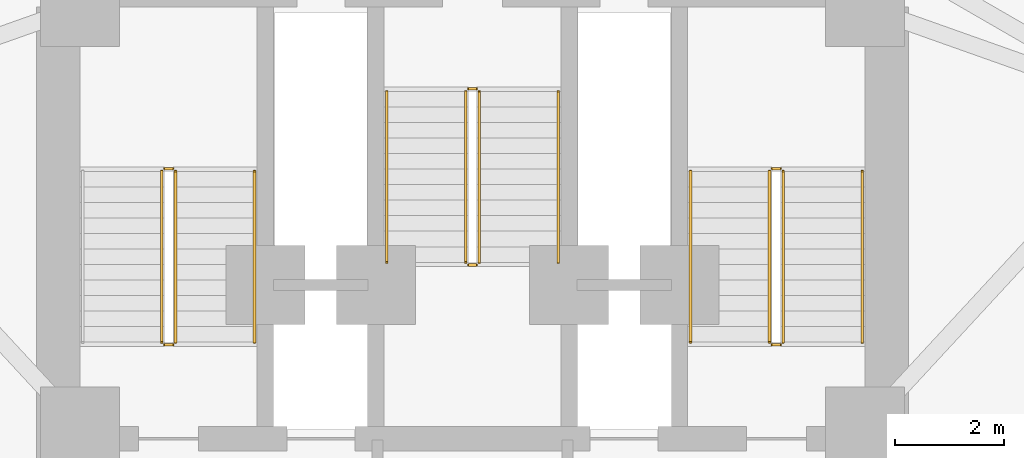
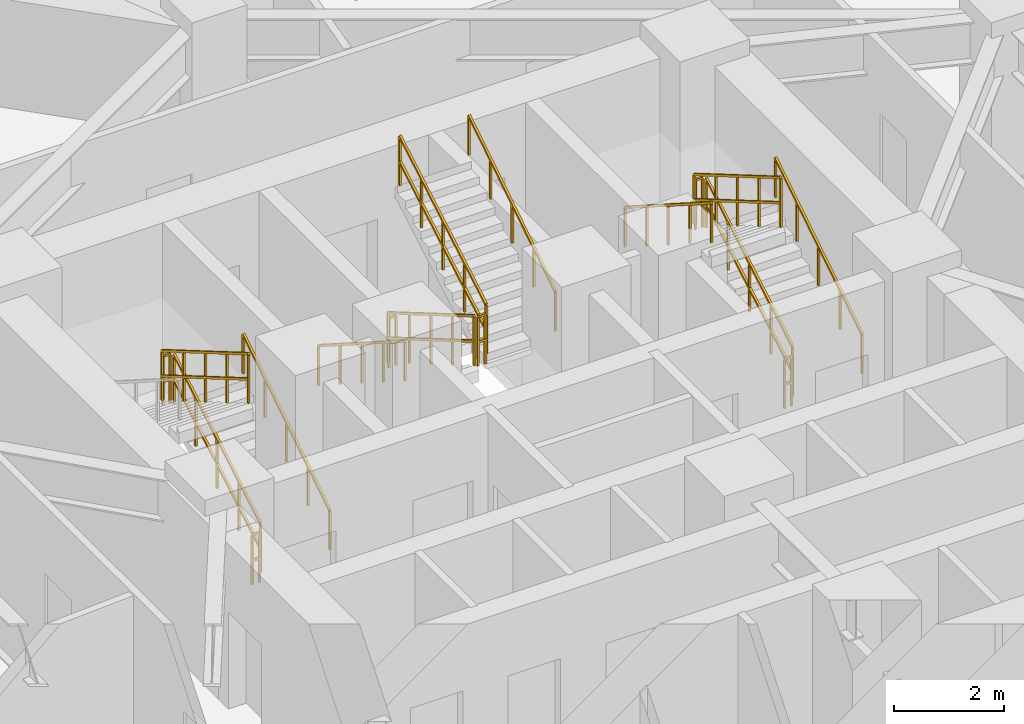
# One storey, part 13 of 14: 17 railings.
"""IFC4 building model written with IfcOpenShell, lengths in metres."""

from ifc_helpers import new_model, si_unit, direction, frame, origin, origin_2d, place, context, subcontext, project, spatial, rectangle, extrude, material, type_object, element, save


model = new_model("IFC4")

# Units and contexts
model_context = context("Model", 3, precision=1e-05, world=origin(), true_north=direction((0.0, 1.0)))
body_context = subcontext(model_context, "Body", "Model", "MODEL_VIEW")
ifc_project = project(units=[si_unit("LENGTHUNIT", "METRE"), si_unit("AREAUNIT", "SQUARE_METRE"), si_unit("VOLUMEUNIT", "CUBIC_METRE"), si_unit("PLANEANGLEUNIT", "RADIAN"), si_unit("MASSUNIT", "GRAM", prefix="KILO")], contexts=[model_context])

# Site, building, storey
site_placement = place(None, origin())
site = spatial("IfcSite", under=ifc_project, at=site_placement, CompositionType="ELEMENT")
building_placement = place(site_placement, origin())
building = spatial("IfcBuilding", under=site, at=building_placement, Name="Apsidion Concourse Tower", CompositionType="ELEMENT")
storey_placement = place(building_placement, frame((0.0, 0.0, 123.0)))
storey = spatial("IfcBuildingStorey", under=building, at=storey_placement, Name="L28", CompositionType="ELEMENT", Elevation=123.0)

# Railings
ifc_material = material(Name="Brushed stainless steel 316", Category="steel")
railing_type_1 = type_object("IfcRailingType", Name="RL-GUARD-1100", PredefinedType="GUARDRAIL", material=ifc_material)
railing_1_placement = place(storey_placement, frame((-5.449951171875, 3.0, 0.166748046875)))
element("IfcRailing", 1, at=railing_1_placement, inside=storey, type_object=railing_type_1, Name="L28 ST1 stair guard 1", PredefinedType="GUARDRAIL", context=body_context, shape_type="SweptSolid", body=[
    extrude(rectangle(XDim=0.048095703125, YDim=0.048095703125, at=origin_2d()), frame((0.0, 0.0, 1.09619140625), z_axis=(0.0, 0.863239559939, 0.504794475164), x_axis=(-1.0, 0.0, 0.0)), (0.0, 0.0, 1.0), 3.631591796875),
    extrude(rectangle(XDim=0.048095703125, YDim=0.048095703125, at=origin_2d()), frame((0.0, 0.0, 0.5361328125), z_axis=(0.0, 0.863239559939, 0.504794475164), x_axis=(-1.0, 0.0, 0.0)), (0.0, 0.0, 1.0), 3.631591796875),
    extrude(rectangle(XDim=0.0419921875, YDim=0.0419921875, at=origin_2d()), origin(), (0.0, 0.0, 1.0), 1.072021484375),
    extrude(rectangle(XDim=0.0419921875, YDim=0.0419921875, at=origin_2d()), frame((0.0, 0.78369140625, 0.458251953125)), (0.0, 0.0, 1.0), 1.072021484375),
    extrude(rectangle(XDim=0.0419921875, YDim=0.0419921875, at=origin_2d()), frame((0.0, 1.5673828125, 0.91650390625)), (0.0, 0.0, 1.0), 1.072021484375),
    extrude(rectangle(XDim=0.0419921875, YDim=0.0419921875, at=origin_2d()), frame((0.0, 2.351318359375, 1.375)), (0.0, 0.0, 1.0), 1.072021484375),
    extrude(rectangle(XDim=0.0419921875, YDim=0.0419921875, at=origin_2d()), frame((0.0, 3.135009765625, 1.833251953125)), (0.0, 0.0, 1.0), 1.072021484375),
])
railing_2_placement = place(storey_placement, frame((-5.5, 6.18505859375, 2.0)))
element("IfcRailing", 2, at=railing_2_placement, inside=storey, type_object=railing_type_1, Name="L28 ST1 stair guard 2", PredefinedType="GUARDRAIL", context=body_context, shape_type="SweptSolid", body=[
    extrude(rectangle(XDim=0.048095703125, YDim=0.048095703125, at=origin_2d()), frame((0.0, 0.0, 1.09619140625), z_axis=(-1.0, 0.0, 0.0), x_axis=(0.0, -1.0, 0.0)), (0.0, 0.0, 1.0), 0.14990234375),
    extrude(rectangle(XDim=0.048095703125, YDim=0.048095703125, at=origin_2d()), frame((0.0, 0.0, 0.5361328125), z_axis=(-1.0, 0.0, 0.0), x_axis=(0.0, -1.0, 0.0)), (0.0, 0.0, 1.0), 0.14990234375),
    extrude(rectangle(XDim=0.0419921875, YDim=0.0419921875, at=origin_2d()), origin(), (0.0, 0.0, 1.0), 1.072021484375),
    extrude(rectangle(XDim=0.0419921875, YDim=0.0419921875, at=origin_2d()), frame((-0.14990234375, 0.0, 0.0)), (0.0, 0.0, 1.0), 1.072021484375),
])
railing_3_placement = place(storey_placement, frame((-5.699951171875, 6.135009765625, 2.166748046875)))
element("IfcRailing", 3, at=railing_3_placement, inside=storey, type_object=railing_type_1, Name="L28 ST1 stair guard 3", PredefinedType="GUARDRAIL", context=body_context, shape_type="SweptSolid", body=[
    extrude(rectangle(XDim=0.048095703125, YDim=0.048095703125, at=origin_2d()), frame((0.0, 0.0, 1.09619140625), z_axis=(0.0, -0.863239559939, 0.504794475164), x_axis=(1.0, 0.0, 0.0)), (0.0, 0.0, 1.0), 3.631591796875),
    extrude(rectangle(XDim=0.048095703125, YDim=0.048095703125, at=origin_2d()), frame((0.0, 0.0, 0.5361328125), z_axis=(0.0, -0.863239559939, 0.504794475164), x_axis=(1.0, 0.0, 0.0)), (0.0, 0.0, 1.0), 3.631591796875),
    extrude(rectangle(XDim=0.0419921875, YDim=0.0419921875, at=origin_2d()), origin(), (0.0, 0.0, 1.0), 1.072021484375),
    extrude(rectangle(XDim=0.0419921875, YDim=0.0419921875, at=origin_2d()), frame((0.0, -0.78369140625, 0.458251953125)), (0.0, 0.0, 1.0), 1.072021484375),
    extrude(rectangle(XDim=0.0419921875, YDim=0.0419921875, at=origin_2d()), frame((0.0, -1.5673828125, 0.91650390625)), (0.0, 0.0, 1.0), 1.072021484375),
    extrude(rectangle(XDim=0.0419921875, YDim=0.0419921875, at=origin_2d()), frame((0.0, -2.351318359375, 1.375)), (0.0, 0.0, 1.0), 1.072021484375),
    extrude(rectangle(XDim=0.0419921875, YDim=0.0419921875, at=origin_2d()), frame((0.0, -3.135009765625, 1.833251953125)), (0.0, 0.0, 1.0), 1.072021484375),
])
railing_4_placement = place(storey_placement, frame((-5.5, 2.949951171875, 0.0)))
element("IfcRailing", 4, at=railing_4_placement, inside=storey, type_object=railing_type_1, Name="L28 ST1 stair guard 4", PredefinedType="GUARDRAIL", context=body_context, shape_type="SweptSolid", body=[
    extrude(rectangle(XDim=0.048095703125, YDim=0.048095703125, at=origin_2d()), frame((0.0, 0.0, 1.09619140625), z_axis=(-1.0, 0.0, 0.0), x_axis=(0.0, -1.0, 0.0)), (0.0, 0.0, 1.0), 0.14990234375),
    extrude(rectangle(XDim=0.048095703125, YDim=0.048095703125, at=origin_2d()), frame((0.0, 0.0, 0.5361328125), z_axis=(-1.0, 0.0, 0.0), x_axis=(0.0, -1.0, 0.0)), (0.0, 0.0, 1.0), 0.14990234375),
    extrude(rectangle(XDim=0.0419921875, YDim=0.0419921875, at=origin_2d()), origin(), (0.0, 0.0, 1.0), 1.072021484375),
    extrude(rectangle(XDim=0.0419921875, YDim=0.0419921875, at=origin_2d()), frame((-0.14990234375, 0.0, 0.0)), (0.0, 0.0, 1.0), 1.072021484375),
])
railing_5_placement = place(storey_placement, frame((5.699951171875, 3.0, 0.166748046875)))
element("IfcRailing", 5, at=railing_5_placement, inside=storey, type_object=railing_type_1, Name="L28 ST2 stair guard 1", PredefinedType="GUARDRAIL", context=body_context, shape_type="SweptSolid", body=[
    extrude(rectangle(XDim=0.048095703125, YDim=0.048095703125, at=origin_2d()), frame((0.0, 0.0, 1.09619140625), z_axis=(0.0, 0.863239559939, 0.504794475164), x_axis=(-1.0, 0.0, 0.0)), (0.0, 0.0, 1.0), 3.631591796875),
    extrude(rectangle(XDim=0.048095703125, YDim=0.048095703125, at=origin_2d()), frame((0.0, 0.0, 0.5361328125), z_axis=(0.0, 0.863239559939, 0.504794475164), x_axis=(-1.0, 0.0, 0.0)), (0.0, 0.0, 1.0), 3.631591796875),
    extrude(rectangle(XDim=0.0419921875, YDim=0.0419921875, at=origin_2d()), origin(), (0.0, 0.0, 1.0), 1.072021484375),
    extrude(rectangle(XDim=0.0419921875, YDim=0.0419921875, at=origin_2d()), frame((0.0, 0.78369140625, 0.458251953125)), (0.0, 0.0, 1.0), 1.072021484375),
    extrude(rectangle(XDim=0.0419921875, YDim=0.0419921875, at=origin_2d()), frame((0.0, 1.5673828125, 0.91650390625)), (0.0, 0.0, 1.0), 1.072021484375),
    extrude(rectangle(XDim=0.0419921875, YDim=0.0419921875, at=origin_2d()), frame((0.0, 2.351318359375, 1.375)), (0.0, 0.0, 1.0), 1.072021484375),
    extrude(rectangle(XDim=0.0419921875, YDim=0.0419921875, at=origin_2d()), frame((0.0, 3.135009765625, 1.833251953125)), (0.0, 0.0, 1.0), 1.072021484375),
])
railing_6_placement = place(storey_placement, frame((5.64990234375, 6.18505859375, 2.0)))
element("IfcRailing", 6, at=railing_6_placement, inside=storey, type_object=railing_type_1, Name="L28 ST2 stair guard 2", PredefinedType="GUARDRAIL", context=body_context, shape_type="SweptSolid", body=[
    extrude(rectangle(XDim=0.048095703125, YDim=0.048095703125, at=origin_2d()), frame((0.0, 0.0, 1.09619140625), z_axis=(-1.0, 0.0, 0.0), x_axis=(0.0, -1.0, 0.0)), (0.0, 0.0, 1.0), 0.14990234375),
    extrude(rectangle(XDim=0.048095703125, YDim=0.048095703125, at=origin_2d()), frame((0.0, 0.0, 0.5361328125), z_axis=(-1.0, 0.0, 0.0), x_axis=(0.0, -1.0, 0.0)), (0.0, 0.0, 1.0), 0.14990234375),
    extrude(rectangle(XDim=0.0419921875, YDim=0.0419921875, at=origin_2d()), origin(), (0.0, 0.0, 1.0), 1.072021484375),
    extrude(rectangle(XDim=0.0419921875, YDim=0.0419921875, at=origin_2d()), frame((-0.14990234375, 0.0, 0.0)), (0.0, 0.0, 1.0), 1.072021484375),
])
railing_7_placement = place(storey_placement, frame((5.449951171875, 6.135009765625, 2.166748046875)))
element("IfcRailing", 7, at=railing_7_placement, inside=storey, type_object=railing_type_1, Name="L28 ST2 stair guard 3", PredefinedType="GUARDRAIL", context=body_context, shape_type="SweptSolid", body=[
    extrude(rectangle(XDim=0.048095703125, YDim=0.048095703125, at=origin_2d()), frame((0.0, 0.0, 1.09619140625), z_axis=(0.0, -0.863239559939, 0.504794475164), x_axis=(1.0, 0.0, 0.0)), (0.0, 0.0, 1.0), 3.631591796875),
    extrude(rectangle(XDim=0.048095703125, YDim=0.048095703125, at=origin_2d()), frame((0.0, 0.0, 0.5361328125), z_axis=(0.0, -0.863239559939, 0.504794475164), x_axis=(1.0, 0.0, 0.0)), (0.0, 0.0, 1.0), 3.631591796875),
    extrude(rectangle(XDim=0.0419921875, YDim=0.0419921875, at=origin_2d()), origin(), (0.0, 0.0, 1.0), 1.072021484375),
    extrude(rectangle(XDim=0.0419921875, YDim=0.0419921875, at=origin_2d()), frame((0.0, -0.78369140625, 0.458251953125)), (0.0, 0.0, 1.0), 1.072021484375),
    extrude(rectangle(XDim=0.0419921875, YDim=0.0419921875, at=origin_2d()), frame((0.0, -1.5673828125, 0.91650390625)), (0.0, 0.0, 1.0), 1.072021484375),
    extrude(rectangle(XDim=0.0419921875, YDim=0.0419921875, at=origin_2d()), frame((0.0, -2.351318359375, 1.375)), (0.0, 0.0, 1.0), 1.072021484375),
    extrude(rectangle(XDim=0.0419921875, YDim=0.0419921875, at=origin_2d()), frame((0.0, -3.135009765625, 1.833251953125)), (0.0, 0.0, 1.0), 1.072021484375),
])
railing_8_placement = place(storey_placement, frame((5.64990234375, 2.949951171875, 0.0)))
element("IfcRailing", 8, at=railing_8_placement, inside=storey, type_object=railing_type_1, Name="L28 ST2 stair guard 4", PredefinedType="GUARDRAIL", context=body_context, shape_type="SweptSolid", body=[
    extrude(rectangle(XDim=0.048095703125, YDim=0.048095703125, at=origin_2d()), frame((0.0, 0.0, 1.09619140625), z_axis=(-1.0, 0.0, 0.0), x_axis=(0.0, -1.0, 0.0)), (0.0, 0.0, 1.0), 0.14990234375),
    extrude(rectangle(XDim=0.048095703125, YDim=0.048095703125, at=origin_2d()), frame((0.0, 0.0, 0.5361328125), z_axis=(-1.0, 0.0, 0.0), x_axis=(0.0, -1.0, 0.0)), (0.0, 0.0, 1.0), 0.14990234375),
    extrude(rectangle(XDim=0.0419921875, YDim=0.0419921875, at=origin_2d()), origin(), (0.0, 0.0, 1.0), 1.072021484375),
    extrude(rectangle(XDim=0.0419921875, YDim=0.0419921875, at=origin_2d()), frame((-0.14990234375, 0.0, 0.0)), (0.0, 0.0, 1.0), 1.072021484375),
])
railing_9_placement = place(storey_placement, frame((-0.125, 7.60009765625, 0.166748046875)))
element("IfcRailing", 9, at=railing_9_placement, inside=storey, type_object=railing_type_1, Name="L28 ST3 stair guard 1", PredefinedType="GUARDRAIL", context=body_context, shape_type="SweptSolid", body=[
    extrude(rectangle(XDim=0.048095703125, YDim=0.048095703125, at=origin_2d()), frame((0.0, 0.0, 1.09619140625), z_axis=(0.0, -0.863239559939, 0.504794475164), x_axis=(1.0, 0.0, 0.0)), (0.0, 0.0, 1.0), 3.631591796875),
    extrude(rectangle(XDim=0.048095703125, YDim=0.048095703125, at=origin_2d()), frame((0.0, 0.0, 0.5361328125), z_axis=(0.0, -0.863239559939, 0.504794475164), x_axis=(1.0, 0.0, 0.0)), (0.0, 0.0, 1.0), 3.631591796875),
    extrude(rectangle(XDim=0.0419921875, YDim=0.0419921875, at=origin_2d()), origin(), (0.0, 0.0, 1.0), 1.072021484375),
    extrude(rectangle(XDim=0.0419921875, YDim=0.0419921875, at=origin_2d()), frame((0.0, -0.78369140625, 0.458251953125)), (0.0, 0.0, 1.0), 1.072021484375),
    extrude(rectangle(XDim=0.0419921875, YDim=0.0419921875, at=origin_2d()), frame((0.0, -1.5673828125, 0.91650390625)), (0.0, 0.0, 1.0), 1.072021484375),
    extrude(rectangle(XDim=0.0419921875, YDim=0.0419921875, at=origin_2d()), frame((0.0, -2.351318359375, 1.375)), (0.0, 0.0, 1.0), 1.072021484375),
    extrude(rectangle(XDim=0.0419921875, YDim=0.0419921875, at=origin_2d()), frame((0.0, -3.135009765625, 1.833251953125)), (0.0, 0.0, 1.0), 1.072021484375),
])
railing_10_placement = place(storey_placement, frame((-0.074951171875, 4.4150390625, 2.0)))
element("IfcRailing", 10, at=railing_10_placement, inside=storey, type_object=railing_type_1, Name="L28 ST3 stair guard 2", PredefinedType="GUARDRAIL", context=body_context, shape_type="SweptSolid", body=[
    extrude(rectangle(XDim=0.048095703125, YDim=0.048095703125, at=origin_2d()), frame((0.0, 0.0, 1.09619140625), z_axis=(1.0, 0.0, 0.0), x_axis=(0.0, 1.0, 0.0)), (0.0, 0.0, 1.0), 0.14990234375),
    extrude(rectangle(XDim=0.048095703125, YDim=0.048095703125, at=origin_2d()), frame((0.0, 0.0, 0.5361328125), z_axis=(1.0, 0.0, 0.0), x_axis=(0.0, 1.0, 0.0)), (0.0, 0.0, 1.0), 0.14990234375),
    extrude(rectangle(XDim=0.0419921875, YDim=0.0419921875, at=origin_2d()), origin(), (0.0, 0.0, 1.0), 1.072021484375),
    extrude(rectangle(XDim=0.0419921875, YDim=0.0419921875, at=origin_2d()), frame((0.14990234375, 0.0, 0.0)), (0.0, 0.0, 1.0), 1.072021484375),
])
railing_11_placement = place(storey_placement, frame((0.125, 4.465087890625, 2.166748046875)))
element("IfcRailing", 11, at=railing_11_placement, inside=storey, type_object=railing_type_1, Name="L28 ST3 stair guard 3", PredefinedType="GUARDRAIL", context=body_context, shape_type="SweptSolid", body=[
    extrude(rectangle(XDim=0.048095703125, YDim=0.048095703125, at=origin_2d()), frame((0.0, 0.0, 1.09619140625), z_axis=(0.0, 0.863239559939, 0.504794475164), x_axis=(-1.0, 0.0, 0.0)), (0.0, 0.0, 1.0), 3.631591796875),
    extrude(rectangle(XDim=0.048095703125, YDim=0.048095703125, at=origin_2d()), frame((0.0, 0.0, 0.5361328125), z_axis=(0.0, 0.863239559939, 0.504794475164), x_axis=(-1.0, 0.0, 0.0)), (0.0, 0.0, 1.0), 3.631591796875),
    extrude(rectangle(XDim=0.0419921875, YDim=0.0419921875, at=origin_2d()), origin(), (0.0, 0.0, 1.0), 1.072021484375),
    extrude(rectangle(XDim=0.0419921875, YDim=0.0419921875, at=origin_2d()), frame((0.0, 0.78369140625, 0.458251953125)), (0.0, 0.0, 1.0), 1.072021484375),
    extrude(rectangle(XDim=0.0419921875, YDim=0.0419921875, at=origin_2d()), frame((0.0, 1.5673828125, 0.91650390625)), (0.0, 0.0, 1.0), 1.072021484375),
    extrude(rectangle(XDim=0.0419921875, YDim=0.0419921875, at=origin_2d()), frame((0.0, 2.351318359375, 1.375)), (0.0, 0.0, 1.0), 1.072021484375),
    extrude(rectangle(XDim=0.0419921875, YDim=0.0419921875, at=origin_2d()), frame((0.0, 3.135009765625, 1.833251953125)), (0.0, 0.0, 1.0), 1.072021484375),
])
railing_12_placement = place(storey_placement, frame((-0.074951171875, 7.64990234375, 0.0)))
element("IfcRailing", 12, at=railing_12_placement, inside=storey, type_object=railing_type_1, Name="L28 ST3 stair guard 4", PredefinedType="GUARDRAIL", context=body_context, shape_type="SweptSolid", body=[
    extrude(rectangle(XDim=0.048095703125, YDim=0.048095703125, at=origin_2d()), frame((0.0, 0.0, 1.09619140625), z_axis=(1.0, 0.0, 0.0), x_axis=(0.0, 1.0, 0.0)), (0.0, 0.0, 1.0), 0.14990234375),
    extrude(rectangle(XDim=0.048095703125, YDim=0.048095703125, at=origin_2d()), frame((0.0, 0.0, 0.5361328125), z_axis=(1.0, 0.0, 0.0), x_axis=(0.0, 1.0, 0.0)), (0.0, 0.0, 1.0), 0.14990234375),
    extrude(rectangle(XDim=0.0419921875, YDim=0.0419921875, at=origin_2d()), origin(), (0.0, 0.0, 1.0), 1.072021484375),
    extrude(rectangle(XDim=0.0419921875, YDim=0.0419921875, at=origin_2d()), frame((0.14990234375, 0.0, 0.0)), (0.0, 0.0, 1.0), 1.072021484375),
])
railing_type_2 = type_object("IfcRailingType", Name="RL-HAND-900", PredefinedType="HANDRAIL", material=ifc_material)
for number, where, name in (
    (13, (-4.0, 3.0, 0.166748046875), "L28 ST1 stair handrail 1"),
    (14, (7.14990234375, 3.0, 0.166748046875), "L28 ST2 stair handrail 1"),
):
    element("IfcRailing", number, at=place(storey_placement, frame(where)), inside=storey, type_object=railing_type_2, Name=name, PredefinedType="HANDRAIL", context=body_context, shape_type="SweptSolid", body=[
        extrude(rectangle(XDim=0.048095703125, YDim=0.048095703125, at=origin_2d()), frame((0.0, 0.0, 0.8759765625), z_axis=(0.0, 0.843052688722, 0.537830980921), x_axis=(-1.0, 0.0, 0.0)), (0.0, 0.0, 1.0), 3.71875),
        extrude(rectangle(XDim=0.0419921875, YDim=0.0419921875, at=origin_2d()), origin(), (0.0, 0.0, 1.0), 0.851806640625),
        extrude(rectangle(XDim=0.0419921875, YDim=0.0419921875, at=origin_2d()), frame((0.0, 0.78369140625, 0.5)), (0.0, 0.0, 1.0), 0.851806640625),
        extrude(rectangle(XDim=0.0419921875, YDim=0.0419921875, at=origin_2d()), frame((0.0, 1.5673828125, 1.0)), (0.0, 0.0, 1.0), 0.851806640625),
        extrude(rectangle(XDim=0.0419921875, YDim=0.0419921875, at=origin_2d()), frame((0.0, 2.351318359375, 1.5)), (0.0, 0.0, 1.0), 0.851806640625),
        extrude(rectangle(XDim=0.0419921875, YDim=0.0419921875, at=origin_2d()), frame((0.0, 3.135009765625, 2.0)), (0.0, 0.0, 1.0), 0.851806640625),
    ])
for number, where, name in (
    (15, (4.0, 6.135009765625, 2.166748046875), "L28 ST2 stair handrail 2"),
    (16, (-1.574951171875, 7.60009765625, 0.166748046875), "L28 ST3 stair handrail 1"),
):
    element("IfcRailing", number, at=place(storey_placement, frame(where)), inside=storey, type_object=railing_type_2, Name=name, PredefinedType="HANDRAIL", context=body_context, shape_type="SweptSolid", body=[
        extrude(rectangle(XDim=0.048095703125, YDim=0.048095703125, at=origin_2d()), frame((0.0, 0.0, 0.8759765625), z_axis=(0.0, -0.843052688722, 0.537830980921), x_axis=(1.0, 0.0, 0.0)), (0.0, 0.0, 1.0), 3.71875),
        extrude(rectangle(XDim=0.0419921875, YDim=0.0419921875, at=origin_2d()), origin(), (0.0, 0.0, 1.0), 0.851806640625),
        extrude(rectangle(XDim=0.0419921875, YDim=0.0419921875, at=origin_2d()), frame((0.0, -0.78369140625, 0.5)), (0.0, 0.0, 1.0), 0.851806640625),
        extrude(rectangle(XDim=0.0419921875, YDim=0.0419921875, at=origin_2d()), frame((0.0, -1.5673828125, 1.0)), (0.0, 0.0, 1.0), 0.851806640625),
        extrude(rectangle(XDim=0.0419921875, YDim=0.0419921875, at=origin_2d()), frame((0.0, -2.351318359375, 1.5)), (0.0, 0.0, 1.0), 0.851806640625),
        extrude(rectangle(XDim=0.0419921875, YDim=0.0419921875, at=origin_2d()), frame((0.0, -3.135009765625, 2.0)), (0.0, 0.0, 1.0), 0.851806640625),
    ])
railing_13_placement = place(storey_placement, frame((1.574951171875, 4.465087890625, 2.166748046875)))
element("IfcRailing", 17, at=railing_13_placement, inside=storey, type_object=railing_type_2, Name="L28 ST3 stair handrail 2", PredefinedType="HANDRAIL", context=body_context, shape_type="SweptSolid", body=[
    extrude(rectangle(XDim=0.048095703125, YDim=0.048095703125, at=origin_2d()), frame((0.0, 0.0, 0.8759765625), z_axis=(0.0, 0.843052688722, 0.537830980921), x_axis=(-1.0, 0.0, 0.0)), (0.0, 0.0, 1.0), 3.71875),
    extrude(rectangle(XDim=0.0419921875, YDim=0.0419921875, at=origin_2d()), origin(), (0.0, 0.0, 1.0), 0.851806640625),
    extrude(rectangle(XDim=0.0419921875, YDim=0.0419921875, at=origin_2d()), frame((0.0, 0.78369140625, 0.5)), (0.0, 0.0, 1.0), 0.851806640625),
    extrude(rectangle(XDim=0.0419921875, YDim=0.0419921875, at=origin_2d()), frame((0.0, 1.5673828125, 1.0)), (0.0, 0.0, 1.0), 0.851806640625),
    extrude(rectangle(XDim=0.0419921875, YDim=0.0419921875, at=origin_2d()), frame((0.0, 2.351318359375, 1.5)), (0.0, 0.0, 1.0), 0.851806640625),
    extrude(rectangle(XDim=0.0419921875, YDim=0.0419921875, at=origin_2d()), frame((0.0, 3.135009765625, 2.0)), (0.0, 0.0, 1.0), 0.851806640625),
])

save(model, "model.ifc")
